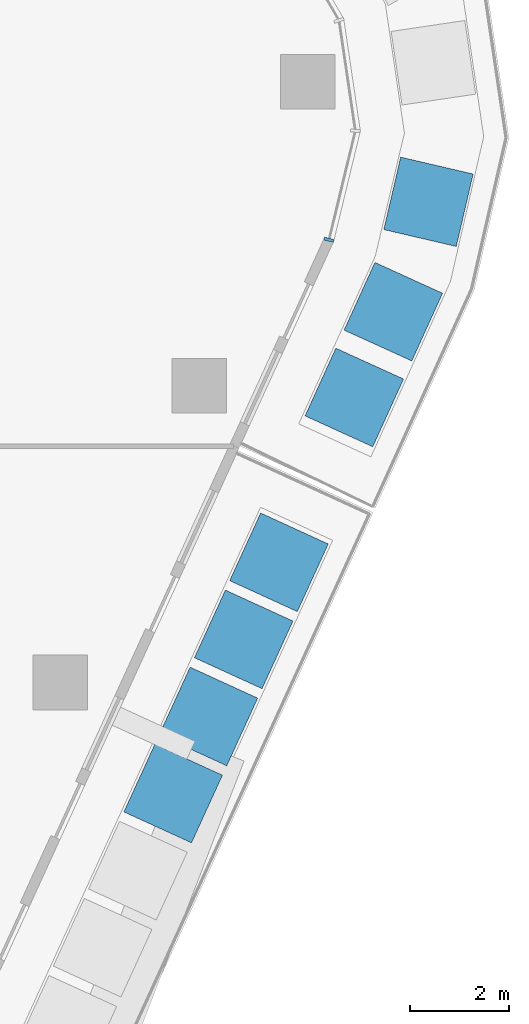
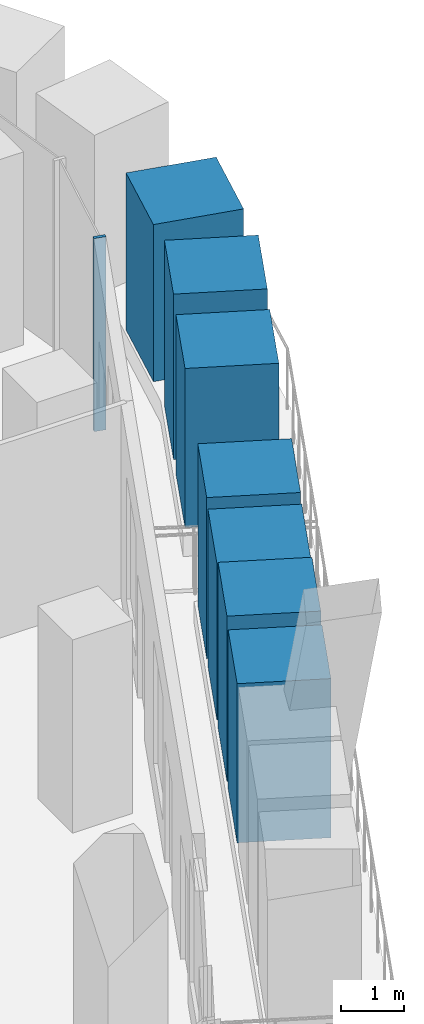
# One storey, part 4 of 20: 8 members, 1 element without a shape of its own.
"""IFC4 building model written with IfcOpenShell, lengths in metres."""

from ifc_helpers import new_model, si_unit, direction, frame, origin, origin_2d, place, context, subcontext, project, spatial, rectangle, extrude, material, layer, layer_set, material_profile, profile_set, type_object, element, aggregate, save


model = new_model("IFC4")

# Units and contexts
model_context = context("Model", 3, precision=1e-05, world=origin(), true_north=direction((0.0, 1.0)))
body_context = subcontext(model_context, "Body", "Model", "MODEL_VIEW")
ifc_project = project(units=[si_unit("LENGTHUNIT", "METRE"), si_unit("AREAUNIT", "SQUARE_METRE"), si_unit("VOLUMEUNIT", "CUBIC_METRE"), si_unit("PLANEANGLEUNIT", "RADIAN"), si_unit("MASSUNIT", "GRAM", prefix="KILO")], contexts=[model_context])

# Site, building, storey
site_placement = place(None, origin())
site = spatial("IfcSite", under=ifc_project, at=site_placement, CompositionType="ELEMENT")
building_placement = place(site_placement, origin())
building = spatial("IfcBuilding", under=site, at=building_placement, Name="Dongbaek Canopy Tower", CompositionType="ELEMENT")
storey_placement = place(building_placement, frame((0.0, 0.0, 228.60009765625)))
storey = spatial("IfcBuildingStorey", under=building, at=storey_placement, Name="L47", CompositionType="ELEMENT", Elevation=228.60009765625)

# Curtain wall, member
ifc_material_1 = material(Name="Aluminium 6063-T6 pale anodised", Category="aluminium")
ifc_layer = layer(ifc_material_1, 0.199951171875)
ifc_layer_set = layer_set([ifc_layer], Name="CW-1 unitised tower curtain wall")
curtain_wall_type = type_object("IfcCurtainWallType", Name="CW-1 unitised tower curtain wall", PredefinedType="NOTDEFINED", material=ifc_layer_set)
curtain_wall_placement = place(storey_placement, origin())
curtain_wall = element("IfcCurtainWall", 1, at=curtain_wall_placement, inside=storey, type_object=curtain_wall_type, Name="CW-1 curtain wall K0.1", PredefinedType="NOTDEFINED")
ifc_material_2 = material(Name="Aluminium 6063-T6 pale anodised", Category="aluminium")
ifc_material_profile_1 = material_profile(ifc_material_2, rectangle(XDim=0.199951171875, YDim=0.06005859375, at=origin_2d()), Name="CW-1 mullion 60 x 200")
ifc_profile_set_1 = profile_set([ifc_material_profile_1], Name="Aluminium 6063-T6 pale anodised")
member_type_1 = type_object("IfcMemberType", Name="CW-1 mullion 60 x 200", PredefinedType="MULLION", material=ifc_profile_set_1)
member_1_placement = place(storey_placement, frame((27.916259765625, 2.78759765625, 0.0), z_axis=(0.0, 0.0, 1.0), x_axis=(0.972013930306, -0.23492321999, 0.0)))
member_1 = element("IfcMember", 2, at=member_1_placement, type_object=member_type_1, Name="CW-1 mullion K0.1.1", PredefinedType="MULLION", context=body_context, shape_type="SweptSolid", body=[
    extrude(rectangle(XDim=0.199951171875, YDim=0.06005859375, at=origin_2d()), origin(), (0.0, 0.0, 1.0), 3.75),
])
aggregate(curtain_wall, [member_1])

# Members
ifc_material_3 = material(Name="Concrete C40/50 planter mass with planting", Category="concrete")
ifc_material_profile_2 = material_profile(ifc_material_3, rectangle(XDim=1.5, YDim=1.5, at=origin_2d()), Name="Terrace PLANTER shrub mass 1500 x 1500")
ifc_profile_set_2 = profile_set([ifc_material_profile_2], Name="Concrete C40/50 planter mass with planting")
member_type_2 = type_object("IfcMemberType", Name="Terrace PLANTER shrub mass 1500 x 1500", PredefinedType="USERDEFINED", material=ifc_profile_set_2)
member_2_placement = place(storey_placement, frame((24.77490234375, -8.378662109375, 0.419921875), z_axis=(0.0, 0.0, 1.0), x_axis=(0.909313119282, -0.416112546196, 0.0)))
element("IfcMember", 3, at=member_2_placement, inside=storey, type_object=member_type_2, Name="Planter shrubs L47 2.4", ObjectType="PLANTER", PredefinedType="USERDEFINED", context=body_context, shape_type="SweptSolid", body=[
    extrude(rectangle(XDim=1.5, YDim=1.5, at=origin_2d()), origin(), (0.0, 0.0, 1.0), 3.090087890625),
])
member_3_placement = place(storey_placement, frame((25.486083984375, -6.824462890625, 0.419921875), z_axis=(0.0, 0.0, 1.0), x_axis=(0.909313119282, -0.416112546196, 0.0)))
element("IfcMember", 4, at=member_3_placement, inside=storey, type_object=member_type_2, Name="Planter shrubs L47 2.5", ObjectType="PLANTER", PredefinedType="USERDEFINED", context=body_context, shape_type="SweptSolid", body=[
    extrude(rectangle(XDim=1.5, YDim=1.5, at=origin_2d()), origin(), (0.0, 0.0, 1.0), 3.2099609375),
])
member_4_placement = place(storey_placement, frame((26.197509765625, -5.270263671875, 0.419921875), z_axis=(0.0, 0.0, 1.0), x_axis=(0.909313119282, -0.416112546196, 0.0)))
element("IfcMember", 5, at=member_4_placement, inside=storey, type_object=member_type_2, Name="Planter shrubs L47 2.6", ObjectType="PLANTER", PredefinedType="USERDEFINED", context=body_context, shape_type="SweptSolid", body=[
    extrude(rectangle(XDim=1.5, YDim=1.5, at=origin_2d()), origin(), (0.0, 0.0, 1.0), 3.050048828125),
])
member_5_placement = place(storey_placement, frame((26.90869140625, -3.716064453125, 0.419921875), z_axis=(0.0, 0.0, 1.0), x_axis=(0.909313119282, -0.416112546196, 0.0)))
element("IfcMember", 6, at=member_5_placement, inside=storey, type_object=member_type_2, Name="Planter shrubs L47 2.7", ObjectType="PLANTER", PredefinedType="USERDEFINED", context=body_context, shape_type="SweptSolid", body=[
    extrude(rectangle(XDim=1.5, YDim=1.5, at=origin_2d()), origin(), (0.0, 0.0, 1.0), 3.1298828125),
])
member_6_placement = place(storey_placement, frame((28.427490234375, -0.39208984375, 0.419921875), z_axis=(0.0, 0.0, 1.0), x_axis=(0.910163508944, -0.414249184655, 0.0)))
element("IfcMember", 7, at=member_6_placement, inside=storey, type_object=member_type_2, Name="Planter shrubs L47 3.1", ObjectType="PLANTER", PredefinedType="USERDEFINED", context=body_context, shape_type="SweptSolid", body=[
    extrude(rectangle(XDim=1.5, YDim=1.5, at=origin_2d()), origin(), (0.0, 0.0, 1.0), 3.090087890625),
])
member_7_placement = place(storey_placement, frame((29.214599609375, 1.33740234375, 0.419921875), z_axis=(0.0, 0.0, 1.0), x_axis=(0.910163508944, -0.414249184655, 0.0)))
element("IfcMember", 8, at=member_7_placement, inside=storey, type_object=member_type_2, Name="Planter shrubs L47 3.2", ObjectType="PLANTER", PredefinedType="USERDEFINED", context=body_context, shape_type="SweptSolid", body=[
    extrude(rectangle(XDim=1.5, YDim=1.5, at=origin_2d()), origin(), (0.0, 0.0, 1.0), 3.2099609375),
])
member_8_placement = place(storey_placement, frame((29.9228515625, 3.55322265625, 0.419921875), z_axis=(0.0, 0.0, 1.0), x_axis=(0.973950605829, -0.226760264168, 0.0)))
element("IfcMember", 9, at=member_8_placement, inside=storey, type_object=member_type_2, Name="Planter shrubs L47 3.3", ObjectType="PLANTER", PredefinedType="USERDEFINED", context=body_context, shape_type="SweptSolid", body=[
    extrude(rectangle(XDim=1.5, YDim=1.5, at=origin_2d()), origin(), (0.0, 0.0, 1.0), 3.050048828125),
])

save(model, "model.ifc")
